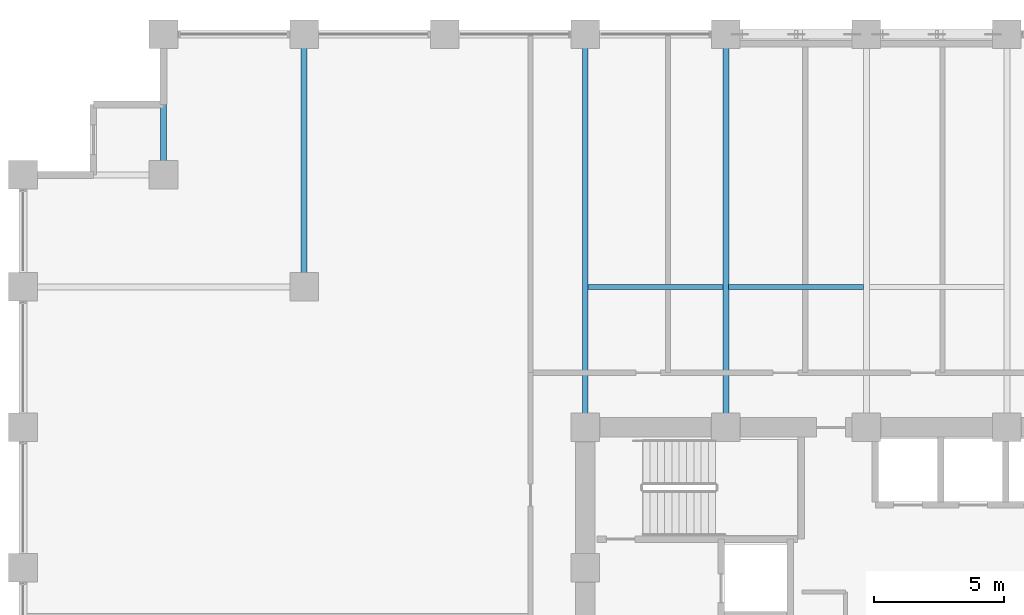
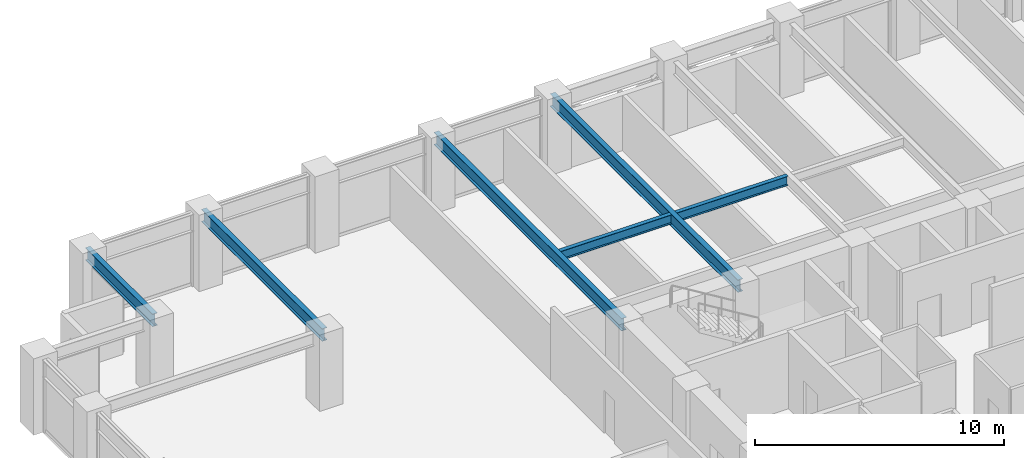
# One storey, part 11 of 25: 6 beams.
"""IFC4 building model written with IfcOpenShell, lengths in metres."""

from ifc_helpers import new_model, si_unit, direction, frame, origin, origin_2d, place, context, subcontext, project, spatial, i_section, extrude, material, material_profile, profile_set, type_object, element, save


model = new_model("IFC4")

# Units and contexts
model_context = context("Model", 3, precision=1e-05, world=origin(), true_north=direction((0.0, 1.0)))
body_context = subcontext(model_context, "Body", "Model", "MODEL_VIEW")
ifc_project = project(units=[si_unit("LENGTHUNIT", "METRE"), si_unit("AREAUNIT", "SQUARE_METRE"), si_unit("VOLUMEUNIT", "CUBIC_METRE"), si_unit("PLANEANGLEUNIT", "RADIAN"), si_unit("MASSUNIT", "GRAM", prefix="KILO")], contexts=[model_context])

# Site, building, storey
site_placement = place(None, origin())
site = spatial("IfcSite", under=ifc_project, at=site_placement, CompositionType="ELEMENT")
building_placement = place(site_placement, origin())
building = spatial("IfcBuilding", under=site, at=building_placement, Name="Surkhivell Harbour Commons", CompositionType="ELEMENT")
storey_placement = place(building_placement, frame((0.0, 0.0, 124.5)))
storey = spatial("IfcBuildingStorey", under=building, at=storey_placement, Name="L32", CompositionType="ELEMENT", Elevation=124.5)

# Beams
ifc_material = material(Name="Steel S355", Category="steel")
ifc_material_profile_1 = material_profile(ifc_material, i_section(OverallWidth=0.22998046875, OverallDepth=0.616943359375, WebThickness=0.01318359375, FlangeThickness=0.022216796875, at=origin_2d()), Name="UB610x229x140")
ifc_profile_set_1 = profile_set([ifc_material_profile_1], Name="Steel S355")
beam_type_1 = type_object("IfcBeamType", Name="BM-GRD-610B", PredefinedType="BEAM", material=ifc_profile_set_1)
beam_1_placement = place(storey_placement, frame((-27.0, 20.5, 3.261474609375), z_axis=(0.0, 1.0, 0.0), x_axis=(-1.0, 0.0, 0.0)))
element("IfcBeam", 1, at=beam_1_placement, inside=storey, type_object=beam_type_1, Name="L32 Floor Girder (-27.0,20.5)", PredefinedType="BEAM", context=body_context, shape_type="SweptSolid", body=[
    extrude(i_section(OverallWidth=0.22998046875, OverallDepth=0.616943359375, WebThickness=0.01318359375, FlangeThickness=0.022216796875, at=origin_2d()), origin(), (0.0, 0.0, 1.0), 5.39990234375),
])
beam_2_placement = place(storey_placement, frame((-21.60009765625, 16.199951171875, 3.261474609375), z_axis=(0.0, 1.0, 0.0), x_axis=(-1.0, 0.0, 0.0)))
element("IfcBeam", 2, at=beam_2_placement, inside=storey, type_object=beam_type_1, Name="L32 Floor Girder (-21.6,16.2)", PredefinedType="BEAM", context=body_context, shape_type="SweptSolid", body=[
    extrude(i_section(OverallWidth=0.22998046875, OverallDepth=0.616943359375, WebThickness=0.01318359375, FlangeThickness=0.022216796875, at=origin_2d()), origin(), (0.0, 0.0, 1.0), 9.699951171875),
])
for number, where, z_axis, x_axis, name in (
    (3, (-10.800048828125, 10.800048828125, 3.261474609375), (0.0, 1.0, 0.0), (-1.0, 0.0, 0.0), "L32 Floor Girder (-10.8,10.8)"),
    (4, (-5.39990234375, 10.800048828125, 3.261474609375), (0.0, 1.0, 0.0), (-1.0, 0.0, 0.0), "L32 Floor Girder (-5.4,10.8)"),
):
    element("IfcBeam", number, at=place(storey_placement, frame(where, z_axis=z_axis, x_axis=x_axis)), inside=storey, type_object=beam_type_1, Name=name, PredefinedType="BEAM", context=body_context, shape_type="SweptSolid", body=[
        extrude(i_section(OverallWidth=0.22998046875, OverallDepth=0.616943359375, WebThickness=0.01318359375, FlangeThickness=0.022216796875, at=origin_2d()), origin(), (0.0, 0.0, 1.0), 15.099853515625),
    ])
ifc_material_profile_2 = material_profile(ifc_material, i_section(OverallWidth=0.18994140625, OverallDepth=0.45703125, WebThickness=0.009033203125, FlangeThickness=0.014404296875, at=origin_2d()), Name="UB457x191x74")
ifc_profile_set_2 = profile_set([ifc_material_profile_2], Name="Steel S355")
beam_type_2 = type_object("IfcBeamType", Name="BM-JST-457B", PredefinedType="JOIST", material=ifc_profile_set_2)
for number, where, z_axis, x_axis, name in (
    (5, (-10.68701171875, 16.199951171875, 3.341552734375), (1.0, 0.0, 0.0), (0.0, 1.0, 0.0), "L32 North Composite Joist (-10.8)"),
    (6, (-5.287109375, 16.199951171875, 3.341552734375), (1.0, 0.0, 0.0), (0.0, 1.0, 0.0), "L32 North Composite Joist (-5.4)"),
):
    element("IfcBeam", number, at=place(storey_placement, frame(where, z_axis=z_axis, x_axis=x_axis)), inside=storey, type_object=beam_type_2, Name=name, PredefinedType="JOIST", context=body_context, shape_type="SweptSolid", body=[
        extrude(i_section(OverallWidth=0.18994140625, OverallDepth=0.45703125, WebThickness=0.009033203125, FlangeThickness=0.014404296875, at=origin_2d()), origin(), (0.0, 0.0, 1.0), 5.174072265625),
    ])

save(model, "model.ifc")
